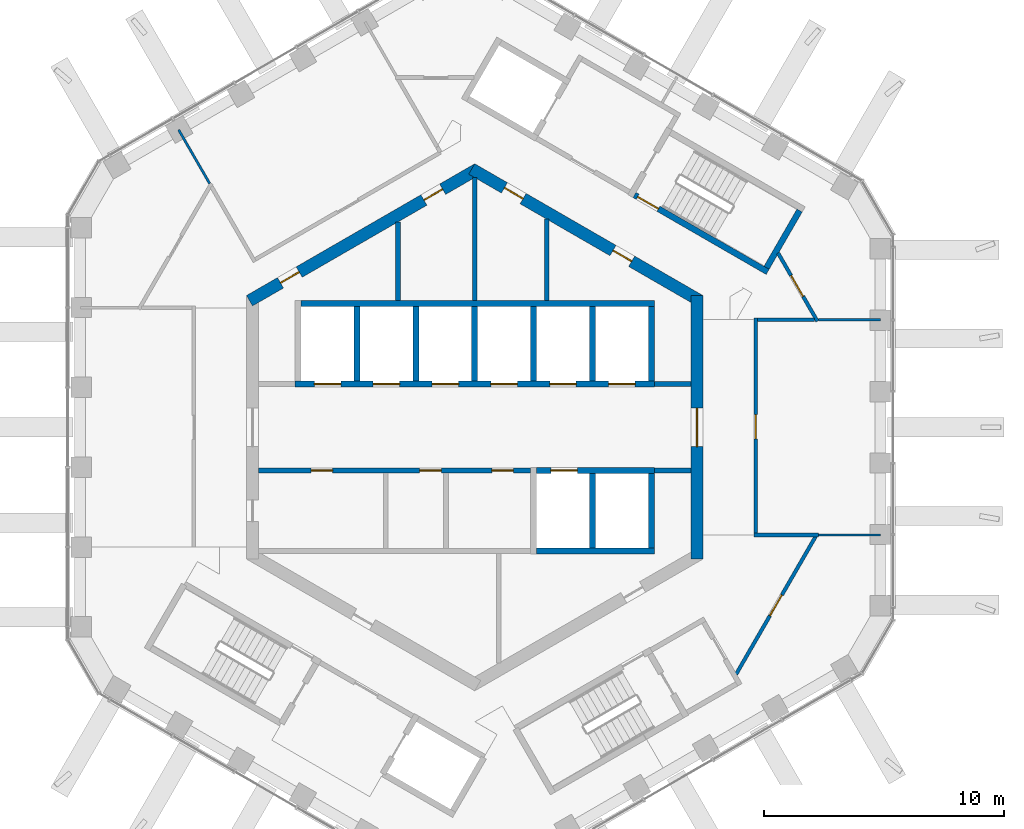
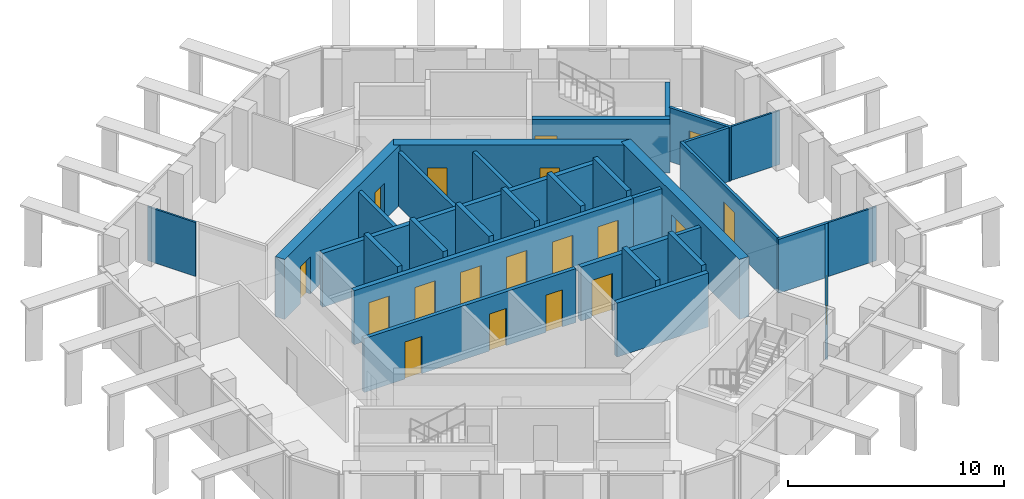
# One storey, part 12 of 17: 31 walls, 19 doors, 19 openings.
"""IFC4 building model written with IfcOpenShell, lengths in metres."""

import ifcopenshell
import ifcopenshell.guid

model = None  # the IFC model being written
_history = None  # IfcOwnerHistory: only IFC2X3 demands one
_inside = {}  # id of a spatial element -> (the spatial element, [elements in it])
_under = {}  # id of a project, library or spatial element -> (it, [spatial elements below it])
_declared = {}  # id of a project -> (the project, [libraries it declares])
_typed = {}  # id of a type object -> (the type object, [elements of that type])
_made_of = {}  # id of a material, layer set ... -> (it, [elements and type objects made of it])


def new_model(schema):
    """Start an empty IFC model of exactly this schema.

    Asked for "IFC4X3", IfcOpenShell would pick the latest addendum, in which some entities
    have other attributes; the version numbers below select the first issue.
    IFC2X3 requires an IfcOwnerHistory on every rooted entity: one is made here for all.
    """
    global model, _history
    if schema == "IFC4X3":
        model = ifcopenshell.file(schema_version=(4, 3, 0, 0))
    else:
        model = ifcopenshell.file(schema=schema)
    _inside.clear()
    _under.clear()
    _declared.clear()
    _typed.clear()
    _made_of.clear()
    _history = None
    if model.schema == "IFC2X3":
        org = make("IfcOrganization", Name="unknown")
        user = make(
            "IfcPersonAndOrganization",
            ThePerson=make("IfcPerson", FamilyName="unknown"),
            TheOrganization=org,
        )
        app = make(
            "IfcApplication",
            ApplicationDeveloper=org,
            Version="unknown",
            ApplicationFullName="unknown",
            ApplicationIdentifier="unknown",
        )
        _history = make(
            "IfcOwnerHistory",
            OwningUser=user,
            OwningApplication=app,
            ChangeAction="ADDED",
            CreationDate=0,
        )
    return model


def make(cls, **values):
    """One entity of the class cls with the attributes given. An attribute that is None is left unset."""
    return model.create_entity(
        cls, **{name: value for name, value in values.items() if value is not None}
    )


def rooted(cls, **values):
    """An entity with a GlobalId (a new one), such as an element, a storey or a relation."""
    return make(cls, GlobalId=ifcopenshell.guid.new(), OwnerHistory=_history, **values)


def si_unit(unit_type, name, prefix=None):
    """IfcSIUnit, for example si_unit("LENGTHUNIT", "METRE", prefix="MILLI")."""
    return make("IfcSIUnit", UnitType=unit_type, Prefix=prefix, Name=name)


def assignment(units):
    """IfcUnitAssignment: the units of a project."""
    return None if units is None else make("IfcUnitAssignment", Units=units)


def point(xyz):
    """IfcCartesianPoint."""
    return None if xyz is None else make("IfcCartesianPoint", Coordinates=xyz)


def direction(xyz):
    """IfcDirection."""
    return None if xyz is None else make("IfcDirection", DirectionRatios=xyz)


def frame(location, z_axis=None, x_axis=None):
    """IfcAxis2Placement3D, a coordinate frame: its origin and axes. An axis left out is left unset."""
    return make(
        "IfcAxis2Placement3D",
        Location=point(location),
        Axis=direction(z_axis),
        RefDirection=direction(x_axis),
    )


def frame_2d(location, x_axis=None):
    """IfcAxis2Placement2D, a coordinate frame in the plane: its origin and x axis."""
    return make(
        "IfcAxis2Placement2D", Location=point(location), RefDirection=direction(x_axis)
    )


def origin():
    """The frame at (0, 0, 0) with its axes left unset."""
    return frame((0.0, 0.0, 0.0))


def place(relative_to, where):
    """IfcLocalPlacement: puts the frame where relative to a parent placement (None: the world)."""
    return make(
        "IfcLocalPlacement", PlacementRelTo=relative_to, RelativePlacement=where
    )


def context(
    kind, dimensions, precision=None, world=None, true_north=None, identifier=None
):
    """IfcGeometricRepresentationContext, for example the 3D "Model" context."""
    return make(
        "IfcGeometricRepresentationContext",
        ContextIdentifier=identifier,
        ContextType=kind,
        CoordinateSpaceDimension=dimensions,
        Precision=precision,
        WorldCoordinateSystem=world,
        TrueNorth=true_north,
    )


def subcontext(parent, identifier, kind, view, scale=None):
    """IfcGeometricRepresentationSubContext, for example "Body" below "Model"."""
    return make(
        "IfcGeometricRepresentationSubContext",
        ContextIdentifier=identifier,
        ContextType=kind,
        ParentContext=parent,
        TargetScale=scale,
        TargetView=view,
    )


def project(units=None, contexts=None):
    """IfcProject with its units and contexts."""
    return rooted(
        "IfcProject",
        Name="project",
        RepresentationContexts=contexts,
        UnitsInContext=assignment(units),
    )


def spatial(cls, under=None, at=None, **own):
    """A site, building, storey or space (cls), placed at a placement, below another one or the project."""
    s = rooted(cls, ObjectPlacement=at, **own)
    if under is not None:
        _under.setdefault(under.id(), (under, []))[1].append(s)
    return s


def profile(cls, at=None, kind="AREA", **sizes):
    """A parametric profile (cls). Its sizes go by their IFC names, for example OverallWidth=200.0."""
    return make(cls, ProfileType=kind, Position=at, **sizes)


def rectangle(**sizes):
    """IfcRectangleProfileDef."""
    return profile("IfcRectangleProfileDef", **sizes)


def extrude(swept, where, along, depth):
    """IfcExtrudedAreaSolid: the profile swept, set in the frame where, extruded along a direction by depth."""
    return make(
        "IfcExtrudedAreaSolid",
        SweptArea=swept,
        Position=where,
        ExtrudedDirection=direction(along),
        Depth=depth,
    )


def shape(context_of_items, identifier, shape_type, items):
    """IfcShapeRepresentation: the items that make up one representation, for example the "Body"."""
    return make(
        "IfcShapeRepresentation",
        ContextOfItems=context_of_items,
        RepresentationIdentifier=identifier,
        RepresentationType=shape_type,
        Items=items,
    )


def material(Name=None, Category=None):
    """IfcMaterial."""
    return make("IfcMaterial", Name=Name, Category=Category)


def layer(
    of_material, thickness, ventilated=None, Name=None, Category=None, Priority=None
):
    """IfcMaterialLayer: one layer of a wall or slab, of a material (None: an air gap)."""
    return make(
        "IfcMaterialLayer",
        Material=of_material,
        LayerThickness=thickness,
        IsVentilated=ventilated,
        Name=Name,
        Category=Category,
        Priority=Priority,
    )


def layer_set(layers, Name=None):
    """IfcMaterialLayerSet."""
    return make("IfcMaterialLayerSet", MaterialLayers=layers, LayerSetName=Name)


def made_of(thing, what):
    """Note that an element or type object is made of a material, layer set ...; save() writes the relation."""
    if what is not None:
        _made_of.setdefault(what.id(), (what, []))[1].append(thing)
    return thing


def type_object(cls, material=None, **own):
    """A type object (cls), such as IfcWallType, which elements share."""
    return made_of(rooted(cls, **own), material)


def element(
    cls,
    number,
    at=None,
    inside=None,
    cuts=None,
    type_object=None,
    material=None,
    context=None,
    identifier="Body",
    shape_type=None,
    held_by="IfcProductDefinitionShape",
    body=None,
    shapes=None,
    **own,
):
    """One element of the class cls, such as IfcWall. Its Tag is "e" and its number.

    at: its placement. inside: the storey or other place that contains it. cuts: it is an
    opening in that element (IfcRelVoidsElement). A single representation is given by context,
    identifier, shape_type and body (its items); several are given by shapes. held_by: the class
    of the entity that holds the representations. save() writes the other relations.
    """
    e = rooted(cls, Tag="e%d" % number, ObjectPlacement=at, **own)
    if body is not None:
        shapes = [shape(context, identifier, shape_type, body)]
    if shapes is not None:
        e.Representation = make(held_by, Representations=shapes)
    if inside is not None:
        _inside.setdefault(inside.id(), (inside, []))[1].append(e)
    if cuts is not None:
        rooted(
            "IfcRelVoidsElement", RelatingBuildingElement=cuts, RelatedOpeningElement=e
        )
    if type_object is not None:
        _typed.setdefault(type_object.id(), (type_object, []))[1].append(e)
    return made_of(e, material)


def fill(opening, filler):
    """IfcRelFillsElement: the door or window that sits in an opening."""
    return rooted(
        "IfcRelFillsElement",
        RelatingOpeningElement=opening,
        RelatedBuildingElement=filler,
    )


def aggregate(whole, parts):
    """IfcRelAggregates: a whole, such as a stair, and the parts it consists of."""
    return rooted("IfcRelAggregates", RelatingObject=whole, RelatedObjects=parts)


def save(model, path):
    """Write the relations noted so far, then the file.

    IfcRelAggregates (storeys below a building ...), IfcRelContainedInSpatialStructure (elements
    in a storey), IfcRelDefinesByType, IfcRelAssociatesMaterial and IfcRelDeclares: one each for
    every whole, place, type object, material and project.
    """
    for whole, parts in _under.values():
        aggregate(whole, parts)
    for where, things in _inside.values():
        rooted(
            "IfcRelContainedInSpatialStructure",
            RelatedElements=things,
            RelatingStructure=where,
        )
    for kind, things in _typed.values():
        rooted("IfcRelDefinesByType", RelatedObjects=things, RelatingType=kind)
    for what, things in _made_of.values():
        rooted("IfcRelAssociatesMaterial", RelatedObjects=things, RelatingMaterial=what)
    for by, libraries in _declared.values():
        rooted("IfcRelDeclares", RelatingContext=by, RelatedDefinitions=libraries)
    model.write(path)


model = new_model("IFC4")

# Units and contexts
model_context = context("Model", 3, precision=1e-05, world=origin(), true_north=direction((0.0, 1.0)))
body_context = subcontext(model_context, "Body", "Model", "MODEL_VIEW")
ifc_project = project(units=[si_unit("LENGTHUNIT", "METRE"), si_unit("AREAUNIT", "SQUARE_METRE"), si_unit("VOLUMEUNIT", "CUBIC_METRE"), si_unit("PLANEANGLEUNIT", "RADIAN"), si_unit("MASSUNIT", "GRAM", prefix="KILO")], contexts=[model_context])

# Site, building, storey
site_placement = place(None, origin())
site = spatial("IfcSite", under=ifc_project, at=site_placement, CompositionType="ELEMENT")
building_placement = place(site_placement, origin())
building = spatial("IfcBuilding", under=site, at=building_placement, Name="Ayvan Gate Tower", CompositionType="ELEMENT")
storey_placement = place(building_placement, frame((0.0, 0.0, 246.10009765625)))
storey = spatial("IfcBuildingStorey", under=building, at=storey_placement, Name="L66", CompositionType="ELEMENT", Elevation=246.10009765625)

# Wall, opening, door
ifc_material_1 = material(Name="Concrete C60/75", Category="concrete")
ifc_layer_1 = layer(ifc_material_1, 0.5)
ifc_layer_set_1 = layer_set([ifc_layer_1], Name="Concrete C60/75")
wall_type_1 = type_object("IfcWallType", Name="Core wall 500 C60/75", PredefinedType="SHEAR", material=ifc_layer_set_1)
wall_1_placement = place(storey_placement, frame((9.25, -5.48486328125, 0.0), z_axis=(0.0, 0.0, 1.0), x_axis=(0.0, 1.0, 0.0)))
wall_1 = element("IfcWall", 1, at=wall_1_placement, inside=storey, type_object=wall_type_1, Name="CORE-L66-0", PredefinedType="SHEAR", context=body_context, shape_type="SweptSolid", body=[
    extrude(rectangle(XDim=10.9697265625, YDim=0.5, at=frame_2d((5.48486328125, 0.0))), origin(), (0.0, 0.0, 1.0), 3.39990234375),
])
opening_1_placement = place(wall_1_placement, frame((4.684814453125, 0.0, 0.0)))
opening_1 = element("IfcOpeningElement", 2, at=opening_1_placement, cuts=wall_1, Name="Opening L66-D36", PredefinedType="OPENING", context=body_context, shape_type="SweptSolid", body=[
    extrude(rectangle(XDim=1.60009765625, YDim=2.10009765625, at=frame_2d((0.800048828125, 1.050048828125))), frame((0.0, 0.260009765625, 0.0), z_axis=(0.0, -1.0, 0.0), x_axis=(1.0, 0.0, 0.0)), (0.0, 0.0, 1.0), 0.52001953125),
])
ifc_material_2 = material(Name="Timber door leaf", Category="wood")
door_type_1 = type_object("IfcDoorType", Name="DT-1600", OperationType="NOTDEFINED", PredefinedType="DOOR", material=ifc_material_2)
door_1_placement = place(opening_1_placement, origin())
door_1 = element("IfcDoor", 3, at=door_1_placement, inside=storey, type_object=door_type_1, Name="CD-L66-36", OperationType="SINGLE_SWING_RIGHT", OverallHeight=2.10009765625, OverallWidth=1.60009765625, PredefinedType="DOOR", context=body_context, shape_type="SweptSolid", body=[
    extrude(rectangle(XDim=1.60009765625, YDim=2.10009765625, at=frame_2d((0.800048828125, 1.050048828125))), frame((0.0, 0.02490234375, 0.0), z_axis=(0.0, -1.0, 0.0), x_axis=(1.0, 0.0, 0.0)), (0.0, 0.0, 1.0), 0.050048828125),
])
fill(opening_1, door_1)

# Wall, openings, doors
wall_2_placement = place(storey_placement, frame((9.375, 5.268310546875, 0.0), z_axis=(0.0, 0.0, 1.0), x_axis=(-0.866023993627, 0.500002442456, 0.0)))
wall_2 = element("IfcWall", 4, at=wall_2_placement, inside=storey, type_object=wall_type_1, Name="CORE-L66-1", PredefinedType="SHEAR", context=body_context, shape_type="SweptSolid", body=[
    extrude(rectangle(XDim=10.9697265625, YDim=0.5, at=frame_2d((5.48486328125, 0.0))), origin(), (0.0, 0.0, 1.0), 3.39990234375),
])
opening_2_placement = place(wall_2_placement, frame((8.49951171875, 0.0, 0.0)))
opening_2 = element("IfcOpeningElement", 5, at=opening_2_placement, cuts=wall_2, Name="Opening L66-D31", PredefinedType="OPENING", context=body_context, shape_type="SweptSolid", body=[
    extrude(rectangle(XDim=0.89990234375, YDim=2.10009765625, at=frame_2d((0.449951171875, 1.050048828125))), frame((0.0, 0.260009765625, 0.0), z_axis=(0.0, -1.0, 0.0), x_axis=(1.0, 0.0, 0.0)), (0.0, 0.0, 1.0), 0.52001953125),
])
opening_3_placement = place(wall_2_placement, frame((3.2802734375, 0.0, 0.0)))
opening_3 = element("IfcOpeningElement", 6, at=opening_3_placement, cuts=wall_2, Name="Opening L66-D32", PredefinedType="OPENING", context=body_context, shape_type="SweptSolid", body=[
    extrude(rectangle(XDim=0.89990234375, YDim=2.10009765625, at=frame_2d((0.449951171875, 1.050048828125))), frame((0.0, 0.260009765625, 0.0), z_axis=(0.0, -1.0, 0.0), x_axis=(1.0, 0.0, 0.0)), (0.0, 0.0, 1.0), 0.52001953125),
])
door_type_2 = type_object("IfcDoorType", Name="DT-900", OperationType="NOTDEFINED", PredefinedType="DOOR", material=ifc_material_2)
door_2_placement = place(opening_2_placement, origin())
door_2 = element("IfcDoor", 7, at=door_2_placement, inside=storey, type_object=door_type_2, Name="CD-L66-31", OperationType="SINGLE_SWING_LEFT", OverallHeight=2.10009765625, OverallWidth=0.89990234375, PredefinedType="DOOR", context=body_context, shape_type="SweptSolid", body=[
    extrude(rectangle(XDim=0.89990234375, YDim=2.10009765625, at=frame_2d((0.449951171875, 1.050048828125))), frame((0.0, 0.02490234375, 0.0), z_axis=(0.0, -1.0, 0.0), x_axis=(1.0, 0.0, 0.0)), (0.0, 0.0, 1.0), 0.050048828125),
])
fill(opening_2, door_2)
door_3_placement = place(opening_3_placement, origin())
door_3 = element("IfcDoor", 8, at=door_3_placement, inside=storey, type_object=door_type_2, Name="CD-L66-32", OperationType="SINGLE_SWING_RIGHT", OverallHeight=2.10009765625, OverallWidth=0.89990234375, PredefinedType="DOOR", context=body_context, shape_type="SweptSolid", body=[
    extrude(rectangle(XDim=0.89990234375, YDim=2.10009765625, at=frame_2d((0.449951171875, 1.050048828125))), frame((0.0, 0.02490234375, 0.0), z_axis=(0.0, -1.0, 0.0), x_axis=(1.0, 0.0, 0.0)), (0.0, 0.0, 1.0), 0.050048828125),
])
fill(opening_3, door_3)

wall_3_placement = place(storey_placement, frame((0.125, 10.753173828125, 0.0), z_axis=(0.0, 0.0, 1.0), x_axis=(-0.866023993627, -0.500002442456, 0.0)))
wall_3 = element("IfcWall", 9, at=wall_3_placement, inside=storey, type_object=wall_type_1, Name="CORE-L66-2", PredefinedType="SHEAR", context=body_context, shape_type="SweptSolid", body=[
    extrude(rectangle(XDim=10.9697265625, YDim=0.5, at=frame_2d((5.48486328125, 0.0))), origin(), (0.0, 0.0, 1.0), 3.39990234375),
])
opening_4_placement = place(wall_3_placement, frame((8.580810546875, 0.0, 0.0)))
opening_4 = element("IfcOpeningElement", 10, at=opening_4_placement, cuts=wall_3, Name="Opening L66-D29", PredefinedType="OPENING", context=body_context, shape_type="SweptSolid", body=[
    extrude(rectangle(XDim=0.89990234375, YDim=2.10009765625, at=frame_2d((0.449951171875, 1.050048828125))), frame((0.0, 0.260009765625, 0.0), z_axis=(0.0, -1.0, 0.0), x_axis=(1.0, 0.0, 0.0)), (0.0, 0.0, 1.0), 0.52001953125),
])
opening_5_placement = place(wall_3_placement, frame((1.686767578125, 0.0, 0.0)))
opening_5 = element("IfcOpeningElement", 11, at=opening_5_placement, cuts=wall_3, Name="Opening L66-D30", PredefinedType="OPENING", context=body_context, shape_type="SweptSolid", body=[
    extrude(rectangle(XDim=0.89990234375, YDim=2.10009765625, at=frame_2d((0.449951171875, 1.050048828125))), frame((0.0, 0.260009765625, 0.0), z_axis=(0.0, -1.0, 0.0), x_axis=(1.0, 0.0, 0.0)), (0.0, 0.0, 1.0), 0.52001953125),
])
door_4_placement = place(opening_4_placement, origin())
door_4 = element("IfcDoor", 12, at=door_4_placement, inside=storey, type_object=door_type_2, Name="CD-L66-29", OperationType="SINGLE_SWING_LEFT", OverallHeight=2.10009765625, OverallWidth=0.89990234375, PredefinedType="DOOR", context=body_context, shape_type="SweptSolid", body=[
    extrude(rectangle(XDim=0.89990234375, YDim=2.10009765625, at=frame_2d((0.449951171875, 1.050048828125))), frame((0.0, 0.02490234375, 0.0), z_axis=(0.0, -1.0, 0.0), x_axis=(1.0, 0.0, 0.0)), (0.0, 0.0, 1.0), 0.050048828125),
])
fill(opening_4, door_4)
door_5_placement = place(opening_5_placement, origin())
door_5 = element("IfcDoor", 13, at=door_5_placement, inside=storey, type_object=door_type_2, Name="CD-L66-30", OperationType="SINGLE_SWING_RIGHT", OverallHeight=2.10009765625, OverallWidth=0.89990234375, PredefinedType="DOOR", context=body_context, shape_type="SweptSolid", body=[
    extrude(rectangle(XDim=0.89990234375, YDim=2.10009765625, at=frame_2d((0.449951171875, 1.050048828125))), frame((0.0, 0.02490234375, 0.0), z_axis=(0.0, -1.0, 0.0), x_axis=(1.0, 0.0, 0.0)), (0.0, 0.0, 1.0), 0.050048828125),
])
fill(opening_5, door_5)

# Wall
ifc_material_3 = material(Name="Plasterboard on steel stud", Category="steel")
ifc_layer_2 = layer(ifc_material_3, 0.14990234375)
ifc_layer_set_2 = layer_set([ifc_layer_2], Name="Plasterboard on steel stud")
wall_type_2 = type_object("IfcWallType", Name="WT-CORR-150", PredefinedType="PARTITIONING", material=ifc_layer_set_2)
wall_4_placement = place(storey_placement, frame((11.625, -4.481689453125, 0.0), z_axis=(0.0, 0.0, 1.0), x_axis=(1.0, 0.0, 0.0)))
element("IfcWall", 14, at=wall_4_placement, inside=storey, type_object=wall_type_2, Name="IW-L66-064", PredefinedType="PARTITIONING", context=body_context, shape_type="SweptSolid", body=[
    extrude(rectangle(XDim=2.677001953125, YDim=0.14990234375, at=frame_2d((1.33837890625, 0.0))), origin(), (0.0, 0.0, 1.0), 3.0498046875),
])

# Wall, opening, door
wall_5_placement = place(storey_placement, frame((11.699951171875, 4.556884765625, 0.0), z_axis=(0.0, 0.0, 1.0), x_axis=(0.0, -1.0, 0.0)))
wall_5 = element("IfcWall", 15, at=wall_5_placement, inside=storey, type_object=wall_type_2, Name="IW-L66-065", PredefinedType="PARTITIONING", context=body_context, shape_type="SweptSolid", body=[
    extrude(rectangle(XDim=8.963623046875, YDim=0.14990234375, at=frame_2d((4.48193359375, 0.0))), origin(), (0.0, 0.0, 1.0), 3.0498046875),
])
opening_6_placement = place(wall_5_placement, frame((4.0341796875, 0.0, 0.0)))
opening_6 = element("IfcOpeningElement", 16, at=opening_6_placement, cuts=wall_5, Name="Opening L66-D22", PredefinedType="OPENING", context=body_context, shape_type="SweptSolid", body=[
    extrude(rectangle(XDim=1.0, YDim=2.10009765625, at=frame_2d((0.5, 1.050048828125))), frame((0.0, 0.0849609375, 0.0), z_axis=(0.0, -1.0, 0.0), x_axis=(1.0, 0.0, 0.0)), (0.0, 0.0, 1.0), 0.169921875),
])
door_type_3 = type_object("IfcDoorType", Name="DT-1000", OperationType="NOTDEFINED", PredefinedType="DOOR", material=ifc_material_2)
door_6_placement = place(opening_6_placement, origin())
door_6 = element("IfcDoor", 17, at=door_6_placement, inside=storey, type_object=door_type_3, Name="ID-L66-022", OperationType="SINGLE_SWING_RIGHT", OverallHeight=2.10009765625, OverallWidth=1.0, PredefinedType="DOOR", context=body_context, shape_type="SweptSolid", body=[
    extrude(rectangle(XDim=1.0, YDim=2.10009765625, at=frame_2d((0.5, 1.050048828125))), frame((0.0, 0.02490234375, 0.0), z_axis=(0.0, -1.0, 0.0), x_axis=(1.0, 0.0, 0.0)), (0.0, 0.0, 1.0), 0.050048828125),
])
fill(opening_6, door_6)

wall_6_placement = place(storey_placement, frame((12.626708984375, 7.25341796875, 0.0), z_axis=(0.0, 0.0, 1.0), x_axis=(0.500019263395, -0.866014281772, 0.0)))
wall_6 = element("IfcWall", 18, at=wall_6_placement, inside=storey, type_object=wall_type_2, Name="IW-L66-067", PredefinedType="PARTITIONING", context=body_context, shape_type="SweptSolid", body=[
    extrude(rectangle(XDim=3.275146484375, YDim=0.14990234375, at=frame_2d((1.6376953125, 0.0))), origin(), (0.0, 0.0, 1.0), 3.0498046875),
])
opening_7_placement = place(wall_6_placement, frame((1.0830078125, 0.0, 0.0)))
opening_7 = element("IfcOpeningElement", 19, at=opening_7_placement, cuts=wall_6, Name="Opening L66-D23", PredefinedType="OPENING", context=body_context, shape_type="SweptSolid", body=[
    extrude(rectangle(XDim=1.0, YDim=2.10009765625, at=frame_2d((0.5, 1.050048828125))), frame((0.0, 0.0849609375, 0.0), z_axis=(0.0, -1.0, 0.0), x_axis=(1.0, 0.0, 0.0)), (0.0, 0.0, 1.0), 0.169921875),
])
door_7_placement = place(opening_7_placement, origin())
door_7 = element("IfcDoor", 20, at=door_7_placement, inside=storey, type_object=door_type_3, Name="ID-L66-023", OperationType="SINGLE_SWING_LEFT", OverallHeight=2.10009765625, OverallWidth=1.0, PredefinedType="DOOR", context=body_context, shape_type="SweptSolid", body=[
    extrude(rectangle(XDim=1.0, YDim=2.10009765625, at=frame_2d((0.5, 1.050048828125))), frame((0.0, 0.02490234375, 0.0), z_axis=(0.0, -1.0, 0.0), x_axis=(1.0, 0.0, 0.0)), (0.0, 0.0, 1.0), 0.050048828125),
])
fill(opening_7, door_7)

# Wall
wall_7_placement = place(storey_placement, frame((14.15185546875, 4.481689453125, 0.0), z_axis=(0.0, 0.0, 1.0), x_axis=(-1.0, 0.0, 0.0)))
element("IfcWall", 21, at=wall_7_placement, inside=storey, type_object=wall_type_2, Name="IW-L66-070", PredefinedType="PARTITIONING", context=body_context, shape_type="SweptSolid", body=[
    extrude(rectangle(XDim=2.376953125, YDim=0.14990234375, at=frame_2d((1.1884765625, 0.0))), origin(), (0.0, 0.0, 1.0), 3.0498046875),
])

# Wall, opening, door
wall_8_placement = place(storey_placement, frame((14.189453125, -4.546875, 0.0), z_axis=(0.0, 0.0, 1.0), x_axis=(-0.500017457343, -0.866015324548, 0.0)))
wall_8 = element("IfcWall", 22, at=wall_8_placement, inside=storey, type_object=wall_type_2, Name="IW-L66-071", PredefinedType="PARTITIONING", context=body_context, shape_type="SweptSolid", body=[
    extrude(rectangle(XDim=6.614501953125, YDim=0.14990234375, at=frame_2d((3.30712890625, 0.0))), origin(), (0.0, 0.0, 1.0), 3.0498046875),
])
opening_8_placement = place(wall_8_placement, frame((2.807373046875, 0.0, 0.0)))
opening_8 = element("IfcOpeningElement", 23, at=opening_8_placement, cuts=wall_8, Name="Opening L66-D27", PredefinedType="OPENING", context=body_context, shape_type="SweptSolid", body=[
    extrude(rectangle(XDim=1.0, YDim=2.10009765625, at=frame_2d((0.5, 1.050048828125))), frame((0.0, 0.0849609375, 0.0), z_axis=(0.0, -1.0, 0.0), x_axis=(1.0, 0.0, 0.0)), (0.0, 0.0, 1.0), 0.169921875),
])
door_8_placement = place(opening_8_placement, origin())
door_8 = element("IfcDoor", 24, at=door_8_placement, inside=storey, type_object=door_type_3, Name="ID-L66-027", OperationType="SINGLE_SWING_LEFT", OverallHeight=2.10009765625, OverallWidth=1.0, PredefinedType="DOOR", context=body_context, shape_type="SweptSolid", body=[
    extrude(rectangle(XDim=1.0, YDim=2.10009765625, at=frame_2d((0.5, 1.050048828125))), frame((0.0, 0.02490234375, 0.0), z_axis=(0.0, -1.0, 0.0), x_axis=(1.0, 0.0, 0.0)), (0.0, 0.0, 1.0), 0.050048828125),
])
fill(opening_8, door_8)

# Walls
ifc_layer_3 = layer(ifc_material_3, 0.10009765625)
ifc_layer_set_3 = layer_set([ifc_layer_3], Name="Plasterboard on steel stud")
wall_type_3 = type_object("IfcWallType", Name="WT-PART-100", PredefinedType="PARTITIONING", material=ifc_layer_set_3)
wall_9_placement = place(storey_placement, frame((-12.3251953125, 12.384033203125, 0.0), z_axis=(0.0, 0.0, 1.0), x_axis=(0.500079363871, -0.865979578183, 0.0)))
element("IfcWall", 25, at=wall_9_placement, inside=storey, type_object=wall_type_3, Name="IW-L66-003", PredefinedType="PARTITIONING", context=body_context, shape_type="SweptSolid", body=[
    extrude(rectangle(XDim=2.58544921875, YDim=0.10009765625, at=frame_2d((1.292724609375, 0.0))), origin(), (0.0, 0.0, 1.0), 3.0498046875),
])
for number, where, z_axis, x_axis, name in (
    (26, (14.3017578125, 4.481689453125, 0.0), (0.0, 0.0, 1.0), (1.0, 0.0, 0.0), "IW-L66-069"),
    (27, (16.887451171875, -4.481689453125, 0.0), (0.0, 0.0, 1.0), (-1.0, 0.0, 0.0), "IW-L66-072"),
):
    element("IfcWall", number, at=place(storey_placement, frame(where, z_axis=z_axis, x_axis=x_axis)), inside=storey, type_object=wall_type_3, Name=name, PredefinedType="PARTITIONING", context=body_context, shape_type="SweptSolid", body=[
        extrude(rectangle(XDim=2.585693359375, YDim=0.10009765625, at=frame_2d((1.29296875, 0.0))), origin(), (0.0, 0.0, 1.0), 3.0498046875),
    ])

# Wall, openings, doors
ifc_layer_4 = layer(ifc_material_3, 0.199951171875)
ifc_layer_set_4 = layer_set([ifc_layer_4], Name="Plasterboard on steel stud")
wall_type_4 = type_object("IfcWallType", Name="WT-RATED-200", PredefinedType="PARTITIONING", material=ifc_layer_set_4)
wall_10_placement = place(storey_placement, frame((-9.0, -1.800048828125, 0.0), z_axis=(0.0, 0.0, 1.0), x_axis=(1.0, 0.0, 0.0)))
wall_10 = element("IfcWall", 28, at=wall_10_placement, inside=storey, type_object=wall_type_4, Name="IW-L66-019", PredefinedType="PARTITIONING", context=body_context, shape_type="SweptSolid", body=[
    extrude(rectangle(XDim=11.3251953125, YDim=0.199951171875, at=frame_2d((5.66259765625, 0.0))), origin(), (0.0, 0.0, 1.0), 3.0498046875),
])
opening_9_placement = place(wall_10_placement, frame((2.18505859375, 0.0, 0.0)))
opening_9 = element("IfcOpeningElement", 29, at=opening_9_placement, cuts=wall_10, Name="Opening L66-D08", PredefinedType="OPENING", context=body_context, shape_type="SweptSolid", body=[
    extrude(rectangle(XDim=0.89990234375, YDim=2.10009765625, at=frame_2d((0.449951171875, 1.050048828125))), frame((0.0, 0.10986328125, 0.0), z_axis=(0.0, -1.0, 0.0), x_axis=(1.0, 0.0, 0.0)), (0.0, 0.0, 1.0), 0.219970703125),
])
opening_10_placement = place(wall_10_placement, frame((6.7099609375, 0.0, 0.0)))
opening_10 = element("IfcOpeningElement", 30, at=opening_10_placement, cuts=wall_10, Name="Opening L66-D09", PredefinedType="OPENING", context=body_context, shape_type="SweptSolid", body=[
    extrude(rectangle(XDim=0.89990234375, YDim=2.10009765625, at=frame_2d((0.449951171875, 1.050048828125))), frame((0.0, 0.10986328125, 0.0), z_axis=(0.0, -1.0, 0.0), x_axis=(1.0, 0.0, 0.0)), (0.0, 0.0, 1.0), 0.219970703125),
])
opening_11_placement = place(wall_10_placement, frame((9.712646484375, 0.0, 0.0)))
opening_11 = element("IfcOpeningElement", 31, at=opening_11_placement, cuts=wall_10, Name="Opening L66-D10", PredefinedType="OPENING", context=body_context, shape_type="SweptSolid", body=[
    extrude(rectangle(XDim=0.89990234375, YDim=2.10009765625, at=frame_2d((0.449951171875, 1.050048828125))), frame((0.0, 0.10986328125, 0.0), z_axis=(0.0, -1.0, 0.0), x_axis=(1.0, 0.0, 0.0)), (0.0, 0.0, 1.0), 0.219970703125),
])
door_9_placement = place(opening_9_placement, origin())
door_9 = element("IfcDoor", 32, at=door_9_placement, inside=storey, type_object=door_type_2, Name="ID-L66-008", OperationType="SINGLE_SWING_RIGHT", OverallHeight=2.10009765625, OverallWidth=0.89990234375, PredefinedType="DOOR", context=body_context, shape_type="SweptSolid", body=[
    extrude(rectangle(XDim=0.89990234375, YDim=2.10009765625, at=frame_2d((0.449951171875, 1.050048828125))), frame((0.0, 0.02490234375, 0.0), z_axis=(0.0, -1.0, 0.0), x_axis=(1.0, 0.0, 0.0)), (0.0, 0.0, 1.0), 0.050048828125),
])
fill(opening_9, door_9)
door_10_placement = place(opening_10_placement, origin())
door_10 = element("IfcDoor", 33, at=door_10_placement, inside=storey, type_object=door_type_2, Name="ID-L66-009", OperationType="SINGLE_SWING_LEFT", OverallHeight=2.10009765625, OverallWidth=0.89990234375, PredefinedType="DOOR", context=body_context, shape_type="SweptSolid", body=[
    extrude(rectangle(XDim=0.89990234375, YDim=2.10009765625, at=frame_2d((0.449951171875, 1.050048828125))), frame((0.0, 0.02490234375, 0.0), z_axis=(0.0, -1.0, 0.0), x_axis=(1.0, 0.0, 0.0)), (0.0, 0.0, 1.0), 0.050048828125),
])
fill(opening_10, door_10)
door_11_placement = place(opening_11_placement, origin())
door_11 = element("IfcDoor", 34, at=door_11_placement, inside=storey, type_object=door_type_2, Name="ID-L66-010", OperationType="SINGLE_SWING_RIGHT", OverallHeight=2.10009765625, OverallWidth=0.89990234375, PredefinedType="DOOR", context=body_context, shape_type="SweptSolid", body=[
    extrude(rectangle(XDim=0.89990234375, YDim=2.10009765625, at=frame_2d((0.449951171875, 1.050048828125))), frame((0.0, 0.02490234375, 0.0), z_axis=(0.0, -1.0, 0.0), x_axis=(1.0, 0.0, 0.0)), (0.0, 0.0, 1.0), 0.050048828125),
])
fill(opening_11, door_11)

# Walls
wall_11_placement = place(storey_placement, frame((-3.199951171875, 8.544921875, 0.0), z_axis=(0.0, 0.0, 1.0), x_axis=(0.0, -1.0, 0.0)))
element("IfcWall", 35, at=wall_11_placement, inside=storey, type_object=wall_type_4, Name="IW-L66-022", PredefinedType="PARTITIONING", context=body_context, shape_type="SweptSolid", body=[
    extrude(rectangle(XDim=3.27001953125, YDim=0.199951171875, at=frame_2d((1.635009765625, 0.0))), origin(), (0.0, 0.0, 1.0), 3.0498046875),
])
wall_12_placement = place(storey_placement, frame((0.0, 10.392333984375, 0.0), z_axis=(0.0, 0.0, 1.0), x_axis=(0.0, -1.0, 0.0)))
element("IfcWall", 36, at=wall_12_placement, inside=storey, type_object=wall_type_4, Name="IW-L66-032", PredefinedType="PARTITIONING", context=body_context, shape_type="SweptSolid", body=[
    extrude(rectangle(XDim=5.117431640625, YDim=0.199951171875, at=frame_2d((2.55859375, 0.0))), origin(), (0.0, 0.0, 1.0), 3.0498046875),
])
wall_13_placement = place(storey_placement, frame((3.0, 8.660400390625, 0.0), z_axis=(0.0, 0.0, 1.0), x_axis=(0.0, -1.0, 0.0)))
element("IfcWall", 37, at=wall_13_placement, inside=storey, type_object=wall_type_4, Name="IW-L66-041", PredefinedType="PARTITIONING", context=body_context, shape_type="SweptSolid", body=[
    extrude(rectangle(XDim=3.385498046875, YDim=0.199951171875, at=frame_2d((1.69287109375, 0.0))), origin(), (0.0, 0.0, 1.0), 3.0498046875),
])
for number, where, z_axis, x_axis, name in (
    (38, (7.474853515625, 1.800048828125, 0.0), (0.0, 0.0, 1.0), (1.0, 0.0, 0.0), "IW-L66-054"),
    (39, (9.0, -1.800048828125, 0.0), (0.0, 0.0, 1.0), (-1.0, 0.0, 0.0), "IW-L66-061"),
):
    element("IfcWall", number, at=place(storey_placement, frame(where, z_axis=z_axis, x_axis=x_axis)), inside=storey, type_object=wall_type_4, Name=name, PredefinedType="PARTITIONING", context=body_context, shape_type="SweptSolid", body=[
        extrude(rectangle(XDim=1.525146484375, YDim=0.199951171875, at=frame_2d((0.7626953125, 0.0))), origin(), (0.0, 0.0, 1.0), 3.0498046875),
    ])

# Wall, openings, doors
ifc_material_4 = material(Name="Concrete C50/60", Category="concrete")
ifc_layer_5 = layer(ifc_material_4, 0.25)
ifc_layer_set_5 = layer_set([ifc_layer_5], Name="Concrete C50/60")
wall_type_5 = type_object("IfcWallType", Name="WT-RC-250", PredefinedType="SHEAR", material=ifc_layer_set_5)
wall_14_placement = place(storey_placement, frame((-7.47509765625, 1.800048828125, 0.0), z_axis=(0.0, 0.0, 1.0), x_axis=(1.0, 0.0, 0.0)))
wall_14 = element("IfcWall", 40, at=wall_14_placement, inside=storey, type_object=wall_type_5, Name="IW-L66-012", PredefinedType="SHEAR", context=body_context, shape_type="SweptSolid", body=[
    extrude(rectangle(XDim=14.9501953125, YDim=0.25, at=frame_2d((7.47509765625, 0.0))), origin(), (0.0, 0.0, 1.0), 3.0498046875),
])
opening_12_placement = place(wall_14_placement, frame((0.800048828125, 0.0, 0.0)))
opening_12 = element("IfcOpeningElement", 41, at=opening_12_placement, cuts=wall_14, Name="Opening L66-LD-HR1", PredefinedType="OPENING", context=body_context, shape_type="SweptSolid", body=[
    extrude(rectangle(XDim=1.10009765625, YDim=2.10009765625, at=frame_2d((0.550048828125, 1.050048828125))), frame((0.0, 0.135009765625, 0.0), z_axis=(0.0, -1.0, 0.0), x_axis=(1.0, 0.0, 0.0)), (0.0, 0.0, 1.0), 0.27001953125),
])
opening_13_placement = place(wall_14_placement, frame((3.25, 0.0, 0.0)))
opening_13 = element("IfcOpeningElement", 42, at=opening_13_placement, cuts=wall_14, Name="Opening L66-LD-HR2", PredefinedType="OPENING", context=body_context, shape_type="SweptSolid", body=[
    extrude(rectangle(XDim=1.10009765625, YDim=2.10009765625, at=frame_2d((0.550048828125, 1.050048828125))), frame((0.0, 0.135009765625, 0.0), z_axis=(0.0, -1.0, 0.0), x_axis=(1.0, 0.0, 0.0)), (0.0, 0.0, 1.0), 0.27001953125),
])
opening_14_placement = place(wall_14_placement, frame((5.7001953125, 0.0, 0.0)))
opening_14 = element("IfcOpeningElement", 43, at=opening_14_placement, cuts=wall_14, Name="Opening L66-LD-HR3", PredefinedType="OPENING", context=body_context, shape_type="SweptSolid", body=[
    extrude(rectangle(XDim=1.10009765625, YDim=2.10009765625, at=frame_2d((0.550048828125, 1.050048828125))), frame((0.0, 0.135009765625, 0.0), z_axis=(0.0, -1.0, 0.0), x_axis=(1.0, 0.0, 0.0)), (0.0, 0.0, 1.0), 0.27001953125),
])
opening_15_placement = place(wall_14_placement, frame((8.150146484375, 0.0, 0.0)))
opening_15 = element("IfcOpeningElement", 44, at=opening_15_placement, cuts=wall_14, Name="Opening L66-LD-HR4", PredefinedType="OPENING", context=body_context, shape_type="SweptSolid", body=[
    extrude(rectangle(XDim=1.10009765625, YDim=2.10009765625, at=frame_2d((0.550048828125, 1.050048828125))), frame((0.0, 0.135009765625, 0.0), z_axis=(0.0, -1.0, 0.0), x_axis=(1.0, 0.0, 0.0)), (0.0, 0.0, 1.0), 0.27001953125),
])
opening_16_placement = place(wall_14_placement, frame((10.60009765625, 0.0, 0.0)))
opening_16 = element("IfcOpeningElement", 45, at=opening_16_placement, cuts=wall_14, Name="Opening L66-LD-HR5", PredefinedType="OPENING", context=body_context, shape_type="SweptSolid", body=[
    extrude(rectangle(XDim=1.10009765625, YDim=2.10009765625, at=frame_2d((0.550048828125, 1.050048828125))), frame((0.0, 0.135009765625, 0.0), z_axis=(0.0, -1.0, 0.0), x_axis=(1.0, 0.0, 0.0)), (0.0, 0.0, 1.0), 0.27001953125),
])
opening_17_placement = place(wall_14_placement, frame((13.050048828125, 0.0, 0.0)))
opening_17 = element("IfcOpeningElement", 46, at=opening_17_placement, cuts=wall_14, Name="Opening L66-LD-HR6", PredefinedType="OPENING", context=body_context, shape_type="SweptSolid", body=[
    extrude(rectangle(XDim=1.10009765625, YDim=2.10009765625, at=frame_2d((0.550048828125, 1.050048828125))), frame((0.0, 0.135009765625, 0.0), z_axis=(0.0, -1.0, 0.0), x_axis=(1.0, 0.0, 0.0)), (0.0, 0.0, 1.0), 0.27001953125),
])
ifc_material_5 = material(Name="Stainless steel landing door", Category="steel")
door_type_4 = type_object("IfcDoorType", Name="DT-LANDING-1100", OperationType="SLIDING_TO_LEFT", PredefinedType="DOOR", material=ifc_material_5)
door_12_placement = place(opening_12_placement, origin())
door_12 = element("IfcDoor", 47, at=door_12_placement, inside=storey, type_object=door_type_4, Name="ID-L66-001", OperationType="SLIDING_TO_LEFT", OverallHeight=2.10009765625, OverallWidth=1.10009765625, PredefinedType="DOOR", context=body_context, shape_type="SweptSolid", body=[
    extrude(rectangle(XDim=1.10009765625, YDim=2.10009765625, at=frame_2d((0.550048828125, 1.050048828125))), frame((0.0, 0.02490234375, 0.0), z_axis=(0.0, -1.0, 0.0), x_axis=(1.0, 0.0, 0.0)), (0.0, 0.0, 1.0), 0.050048828125),
])
fill(opening_12, door_12)
door_13_placement = place(opening_13_placement, origin())
door_13 = element("IfcDoor", 48, at=door_13_placement, inside=storey, type_object=door_type_4, Name="ID-L66-002", OperationType="SLIDING_TO_LEFT", OverallHeight=2.10009765625, OverallWidth=1.10009765625, PredefinedType="DOOR", context=body_context, shape_type="SweptSolid", body=[
    extrude(rectangle(XDim=1.10009765625, YDim=2.10009765625, at=frame_2d((0.550048828125, 1.050048828125))), frame((0.0, 0.02490234375, 0.0), z_axis=(0.0, -1.0, 0.0), x_axis=(1.0, 0.0, 0.0)), (0.0, 0.0, 1.0), 0.050048828125),
])
fill(opening_13, door_13)
door_14_placement = place(opening_14_placement, origin())
door_14 = element("IfcDoor", 49, at=door_14_placement, inside=storey, type_object=door_type_4, Name="ID-L66-003", OperationType="SLIDING_TO_LEFT", OverallHeight=2.10009765625, OverallWidth=1.10009765625, PredefinedType="DOOR", context=body_context, shape_type="SweptSolid", body=[
    extrude(rectangle(XDim=1.10009765625, YDim=2.10009765625, at=frame_2d((0.550048828125, 1.050048828125))), frame((0.0, 0.02490234375, 0.0), z_axis=(0.0, -1.0, 0.0), x_axis=(1.0, 0.0, 0.0)), (0.0, 0.0, 1.0), 0.050048828125),
])
fill(opening_14, door_14)
door_15_placement = place(opening_15_placement, origin())
door_15 = element("IfcDoor", 50, at=door_15_placement, inside=storey, type_object=door_type_4, Name="ID-L66-004", OperationType="SLIDING_TO_LEFT", OverallHeight=2.10009765625, OverallWidth=1.10009765625, PredefinedType="DOOR", context=body_context, shape_type="SweptSolid", body=[
    extrude(rectangle(XDim=1.10009765625, YDim=2.10009765625, at=frame_2d((0.550048828125, 1.050048828125))), frame((0.0, 0.02490234375, 0.0), z_axis=(0.0, -1.0, 0.0), x_axis=(1.0, 0.0, 0.0)), (0.0, 0.0, 1.0), 0.050048828125),
])
fill(opening_15, door_15)
door_16_placement = place(opening_16_placement, origin())
door_16 = element("IfcDoor", 51, at=door_16_placement, inside=storey, type_object=door_type_4, Name="ID-L66-005", OperationType="SLIDING_TO_LEFT", OverallHeight=2.10009765625, OverallWidth=1.10009765625, PredefinedType="DOOR", context=body_context, shape_type="SweptSolid", body=[
    extrude(rectangle(XDim=1.10009765625, YDim=2.10009765625, at=frame_2d((0.550048828125, 1.050048828125))), frame((0.0, 0.02490234375, 0.0), z_axis=(0.0, -1.0, 0.0), x_axis=(1.0, 0.0, 0.0)), (0.0, 0.0, 1.0), 0.050048828125),
])
fill(opening_16, door_16)
door_17_placement = place(opening_17_placement, origin())
door_17 = element("IfcDoor", 52, at=door_17_placement, inside=storey, type_object=door_type_4, Name="ID-L66-006", OperationType="SLIDING_TO_LEFT", OverallHeight=2.10009765625, OverallWidth=1.10009765625, PredefinedType="DOOR", context=body_context, shape_type="SweptSolid", body=[
    extrude(rectangle(XDim=1.10009765625, YDim=2.10009765625, at=frame_2d((0.550048828125, 1.050048828125))), frame((0.0, 0.02490234375, 0.0), z_axis=(0.0, -1.0, 0.0), x_axis=(1.0, 0.0, 0.0)), (0.0, 0.0, 1.0), 0.050048828125),
])
fill(opening_17, door_17)

# Walls
wall_15_placement = place(storey_placement, frame((-7.22509765625, 5.14990234375, 0.0), z_axis=(0.0, 0.0, 1.0), x_axis=(1.0, 0.0, 0.0)))
element("IfcWall", 53, at=wall_15_placement, inside=storey, type_object=wall_type_5, Name="IW-L66-014", PredefinedType="SHEAR", context=body_context, shape_type="SweptSolid", body=[
    extrude(rectangle(XDim=14.7001953125, YDim=0.25, at=frame_2d((7.35009765625, 0.0))), origin(), (0.0, 0.0, 1.0), 3.0498046875),
])
for number, where, z_axis, x_axis, name in (
    (54, (-4.89990234375, 5.02490234375, 0.0), (0.0, 0.0, 1.0), (0.0, -1.0, 0.0), "IW-L66-017"),
    (55, (-2.449951171875, 5.02490234375, 0.0), (0.0, 0.0, 1.0), (0.0, -1.0, 0.0), "IW-L66-025"),
    (56, (0.0, 5.02490234375, 0.0), (0.0, 0.0, 1.0), (0.0, -1.0, 0.0), "IW-L66-031"),
    (57, (2.449951171875, 5.02490234375, 0.0), (0.0, 0.0, 1.0), (0.0, -1.0, 0.0), "IW-L66-038"),
):
    element("IfcWall", number, at=place(storey_placement, frame(where, z_axis=z_axis, x_axis=x_axis)), inside=storey, type_object=wall_type_5, Name=name, PredefinedType="SHEAR", context=body_context, shape_type="SweptSolid", body=[
        extrude(rectangle(XDim=3.099853515625, YDim=0.25, at=frame_2d((1.5498046875, 0.0))), origin(), (0.0, 0.0, 1.0), 3.39990234375),
    ])
wall_16_placement = place(storey_placement, frame((2.574951171875, -5.14990234375, 0.0), z_axis=(0.0, 0.0, 1.0), x_axis=(1.0, 0.0, 0.0)))
element("IfcWall", 58, at=wall_16_placement, inside=storey, type_object=wall_type_5, Name="IW-L66-045", PredefinedType="SHEAR", context=body_context, shape_type="SweptSolid", body=[
    extrude(rectangle(XDim=4.900146484375, YDim=0.25, at=frame_2d((2.4501953125, 0.0))), origin(), (0.0, 0.0, 1.0), 3.0498046875),
])
for number, where, z_axis, x_axis, name in (
    (59, (4.89990234375, -1.925048828125, 0.0), (0.0, 0.0, 1.0), (0.0, -1.0, 0.0), "IW-L66-046"),
    (60, (4.89990234375, 5.02490234375, 0.0), (0.0, 0.0, 1.0), (0.0, -1.0, 0.0), "IW-L66-047"),
):
    element("IfcWall", number, at=place(storey_placement, frame(where, z_axis=z_axis, x_axis=x_axis)), inside=storey, type_object=wall_type_5, Name=name, PredefinedType="SHEAR", context=body_context, shape_type="SweptSolid", body=[
        extrude(rectangle(XDim=3.099853515625, YDim=0.25, at=frame_2d((1.5498046875, 0.0))), origin(), (0.0, 0.0, 1.0), 3.39990234375),
    ])

# Wall, opening, door
wall_17_placement = place(storey_placement, frame((2.574951171875, -1.800048828125, 0.0), z_axis=(0.0, 0.0, 1.0), x_axis=(1.0, 0.0, 0.0)))
wall_17 = element("IfcWall", 61, at=wall_17_placement, inside=storey, type_object=wall_type_5, Name="IW-L66-048", PredefinedType="SHEAR", context=body_context, shape_type="SweptSolid", body=[
    extrude(rectangle(XDim=4.900146484375, YDim=0.25, at=frame_2d((2.4501953125, 0.0))), origin(), (0.0, 0.0, 1.0), 3.0498046875),
])
opening_18_placement = place(wall_17_placement, frame((0.597412109375, 0.0, 0.0)))
opening_18 = element("IfcOpeningElement", 62, at=opening_18_placement, cuts=wall_17, Name="Opening L66-LD-SV", PredefinedType="OPENING", context=body_context, shape_type="SweptSolid", body=[
    extrude(rectangle(XDim=1.10009765625, YDim=2.10009765625, at=frame_2d((0.550048828125, 1.050048828125))), frame((0.0, 0.135009765625, 0.0), z_axis=(0.0, -1.0, 0.0), x_axis=(1.0, 0.0, 0.0)), (0.0, 0.0, 1.0), 0.27001953125),
])
door_18_placement = place(opening_18_placement, origin())
door_18 = element("IfcDoor", 63, at=door_18_placement, inside=storey, type_object=door_type_4, Name="ID-L66-007", OperationType="SLIDING_TO_LEFT", OverallHeight=2.10009765625, OverallWidth=1.10009765625, PredefinedType="DOOR", context=body_context, shape_type="SweptSolid", body=[
    extrude(rectangle(XDim=1.10009765625, YDim=2.10009765625, at=frame_2d((0.550048828125, 1.050048828125))), frame((0.0, 0.02490234375, 0.0), z_axis=(0.0, -1.0, 0.0), x_axis=(1.0, 0.0, 0.0)), (0.0, 0.0, 1.0), 0.050048828125),
])
fill(opening_18, door_18)

# Walls
for number, where, z_axis, x_axis, name in (
    (64, (7.35009765625, -1.925048828125, 0.0), (0.0, 0.0, 1.0), (0.0, -1.0, 0.0), "IW-L66-055"),
    (65, (7.35009765625, 5.02490234375, 0.0), (0.0, 0.0, 1.0), (0.0, -1.0, 0.0), "IW-L66-056"),
):
    element("IfcWall", number, at=place(storey_placement, frame(where, z_axis=z_axis, x_axis=x_axis)), inside=storey, type_object=wall_type_5, Name=name, PredefinedType="SHEAR", context=body_context, shape_type="SweptSolid", body=[
        extrude(rectangle(XDim=3.099853515625, YDim=0.25, at=frame_2d((1.5498046875, 0.0))), origin(), (0.0, 0.0, 1.0), 3.39990234375),
    ])

# Wall, opening, door
wall_18_placement = place(storey_placement, frame((12.193603515625, 6.469970703125, 0.0), z_axis=(0.0, 0.0, 1.0), x_axis=(-0.866025499775, 0.499999833739, 0.0)))
wall_18 = element("IfcWall", 66, at=wall_18_placement, inside=storey, type_object=wall_type_5, Name="IW-L66-066", PredefinedType="SHEAR", context=body_context, shape_type="SweptSolid", body=[
    extrude(rectangle(XDim=6.39990234375, YDim=0.25, at=frame_2d((3.199951171875, 0.0))), origin(), (0.0, 0.0, 1.0), 3.0498046875),
])
opening_19_placement = place(wall_18_placement, frame((5.25, 0.0, 0.0)))
opening_19 = element("IfcOpeningElement", 67, at=opening_19_placement, cuts=wall_18, Name="Opening L66-D11", PredefinedType="OPENING", context=body_context, shape_type="SweptSolid", body=[
    extrude(rectangle(XDim=1.0, YDim=2.10009765625, at=frame_2d((0.5, 1.050048828125))), frame((0.0, 0.135009765625, 0.0), z_axis=(0.0, -1.0, 0.0), x_axis=(1.0, 0.0, 0.0)), (0.0, 0.0, 1.0), 0.27001953125),
])
door_19_placement = place(opening_19_placement, origin())
door_19 = element("IfcDoor", 68, at=door_19_placement, inside=storey, type_object=door_type_3, Name="ID-L66-011", OperationType="SINGLE_SWING_LEFT", OverallHeight=2.10009765625, OverallWidth=1.0, PredefinedType="DOOR", context=body_context, shape_type="SweptSolid", body=[
    extrude(rectangle(XDim=1.0, YDim=2.10009765625, at=frame_2d((0.5, 1.050048828125))), frame((0.0, 0.02490234375, 0.0), z_axis=(0.0, -1.0, 0.0), x_axis=(1.0, 0.0, 0.0)), (0.0, 0.0, 1.0), 0.050048828125),
])
fill(opening_19, door_19)

# Wall
wall_19_placement = place(storey_placement, frame((12.14794921875, 6.640869140625, 0.0), z_axis=(0.0, 0.0, 1.0), x_axis=(0.500034990121, 0.866005201286, 0.0)))
element("IfcWall", 69, at=wall_19_placement, inside=storey, type_object=wall_type_5, Name="IW-L66-068", PredefinedType="SHEAR", context=body_context, shape_type="SweptSolid", body=[
    extrude(rectangle(XDim=2.749755859375, YDim=0.25, at=frame_2d((1.375, 0.0))), origin(), (0.0, 0.0, 1.0), 3.0498046875),
])

save(model, "model.ifc")
